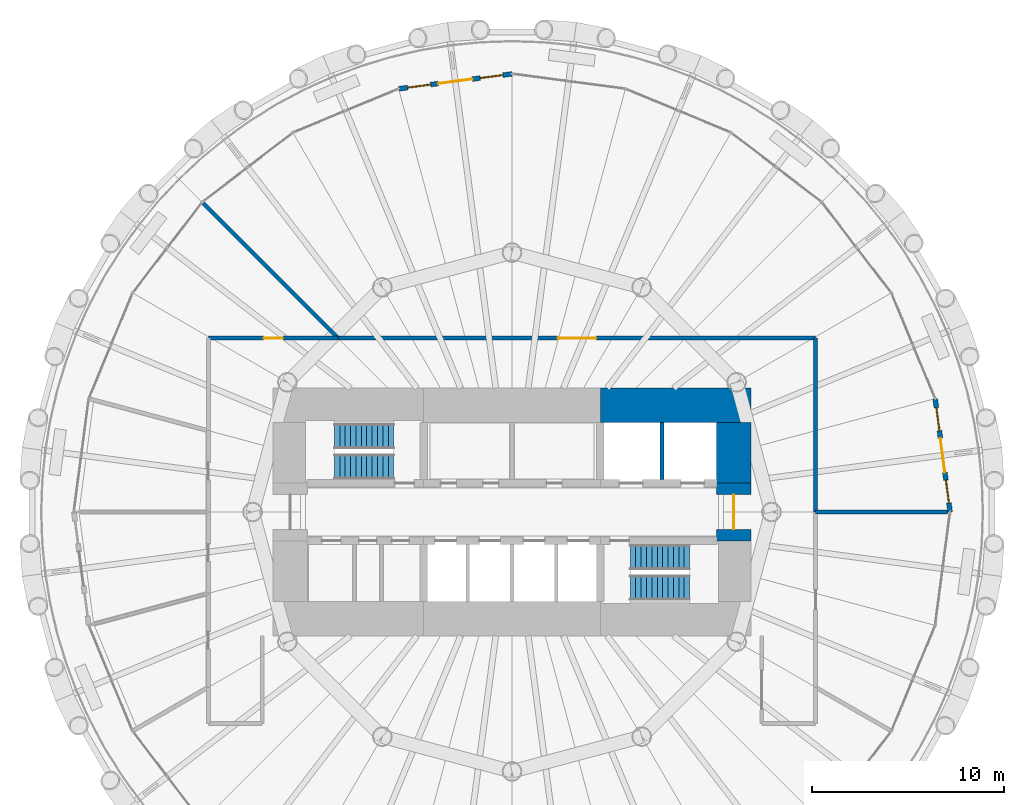
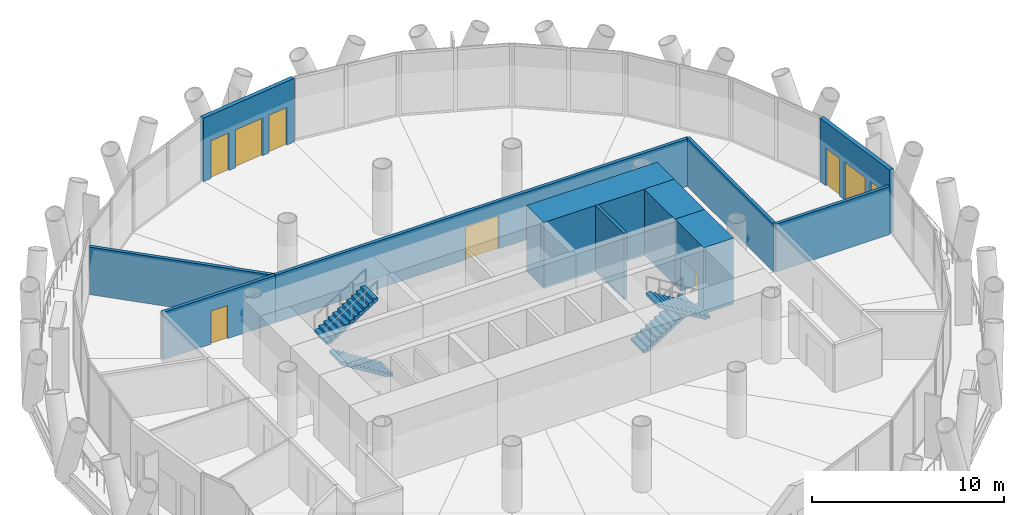
# One storey, part 10 of 14: 11 walls, 5 doors, 4 stair flights, 4 windows, 9 openings, 2 elements without a shape of their own.
"""IFC4 building model written with IfcOpenShell, lengths in metres."""

from ifc_helpers import new_model, si_unit, direction, frame, frame_2d, origin, place, context, subcontext, project, spatial, polyline, rectangle, outline, extrude, material, layer, layer_set, type_object, element, fill, aggregate, save


model = new_model("IFC4")

# Units and contexts
model_context = context("Model", 3, precision=1e-05, world=origin(), true_north=direction((0.0, 1.0)))
body_context = subcontext(model_context, "Body", "Model", "MODEL_VIEW")
ifc_project = project(units=[si_unit("LENGTHUNIT", "METRE"), si_unit("AREAUNIT", "SQUARE_METRE"), si_unit("VOLUMEUNIT", "CUBIC_METRE"), si_unit("PLANEANGLEUNIT", "RADIAN"), si_unit("MASSUNIT", "GRAM", prefix="KILO")], contexts=[model_context])

# Site, building, storey
site_placement = place(None, origin())
site = spatial("IfcSite", under=ifc_project, at=site_placement, CompositionType="ELEMENT")
building_placement = place(site_placement, origin())
building = spatial("IfcBuilding", under=site, at=building_placement, Name="Qaws Media Tower", CompositionType="ELEMENT")
storey_placement = place(building_placement, frame((0.0, 0.0, 118.39990234375)))
storey = spatial("IfcBuildingStorey", under=building, at=storey_placement, Name="L26", CompositionType="ELEMENT", Elevation=118.39990234375)

# Wall, openings, door, windows
ifc_material_1 = material(Name="Precast concrete, exposed finish", Category="concrete")
ifc_layer_1 = layer(ifc_material_1, 0.25)
ifc_layer_set_1 = layer_set([ifc_layer_1], Name="Balcony door wall 250")
wall_type_1 = type_object("IfcWallType", Name="Balcony door wall 250", PredefinedType="SOLIDWALL", material=ifc_layer_set_1)
wall_1_placement = place(storey_placement, frame((82.800048828125, 50.0, 0.0), z_axis=(0.0, 0.0, 1.0), x_axis=(-0.130519236388, 0.991445777102, 0.0)))
wall_1 = element("IfcWall", 1, at=wall_1_placement, inside=storey, type_object=wall_type_1, Name="W177 EW1 balcony door wall L26-01", PredefinedType="SOLIDWALL", context=body_context, shape_type="SweptSolid", body=[
    extrude(rectangle(XDim=5.9521484375, YDim=0.25, at=frame_2d((2.97607421875, 0.0))), origin(), (0.0, 0.0, 1.0), 4.0400390625),
])
opening_1_placement = place(wall_1_placement, frame((2.075927734375, 0.0, 0.0)))
opening_1 = element("IfcOpeningElement", 2, at=opening_1_placement, cuts=wall_1, Name="Opening D7", PredefinedType="OPENING", context=body_context, shape_type="SweptSolid", body=[
    extrude(rectangle(XDim=1.800048828125, YDim=2.39990234375, at=frame_2d((0.89990234375, 1.199951171875))), frame((0.0, 0.135009765625, 0.0), z_axis=(0.0, -1.0, 0.0), x_axis=(1.0, 0.0, 0.0)), (0.0, 0.0, 1.0), 0.27001953125),
])
opening_2_placement = place(wall_1_placement, frame((0.47607421875, 0.0, 0.0)))
opening_2 = element("IfcOpeningElement", 3, at=opening_2_placement, cuts=wall_1, Name="Opening W1", PredefinedType="OPENING", context=body_context, shape_type="SweptSolid", body=[
    extrude(rectangle(XDim=1.199951171875, YDim=2.39990234375, at=frame_2d((0.60009765625, 1.199951171875))), frame((0.0, 0.135009765625, 0.0), z_axis=(0.0, -1.0, 0.0), x_axis=(1.0, 0.0, 0.0)), (0.0, 0.0, 1.0), 0.27001953125),
])
opening_3_placement = place(wall_1_placement, frame((4.27587890625, 0.0, 0.0)))
opening_3 = element("IfcOpeningElement", 4, at=opening_3_placement, cuts=wall_1, Name="Opening W1", PredefinedType="OPENING", context=body_context, shape_type="SweptSolid", body=[
    extrude(rectangle(XDim=1.199951171875, YDim=2.39990234375, at=frame_2d((0.60009765625, 1.199951171875))), frame((0.0, 0.135009765625, 0.0), z_axis=(0.0, -1.0, 0.0), x_axis=(1.0, 0.0, 0.0)), (0.0, 0.0, 1.0), 0.27001953125),
])
ifc_material_2 = material(Name="Aluminium and clear glass", Category="aluminium")
door_type_1 = type_object("IfcDoorType", Name="Balcony door pair 1800", OperationType="DOUBLE_DOOR_SLIDING", PredefinedType="DOOR", material=ifc_material_2)
door_1_placement = place(opening_1_placement, origin())
door_1 = element("IfcDoor", 5, at=door_1_placement, inside=storey, type_object=door_type_1, Name="D7 balcony door L26-01 in wall W177", OperationType="DOUBLE_DOOR_SLIDING", OverallHeight=2.39990234375, OverallWidth=1.800048828125, PredefinedType="DOOR", context=body_context, shape_type="SweptSolid", body=[
    extrude(rectangle(XDim=1.800048828125, YDim=2.39990234375, at=frame_2d((0.89990234375, 1.199951171875))), frame((0.0, 0.02490234375, 0.0), z_axis=(0.0, -1.0, 0.0), x_axis=(1.0, 0.0, 0.0)), (0.0, 0.0, 1.0), 0.050048828125),
])
fill(opening_1, door_1)
ifc_material_3 = material(Name="Aluminium and clear glass", Category="aluminium")
window_type = type_object("IfcWindowType", Name="Balcony side window 1200", PartitioningType="SINGLE_PANEL", PredefinedType="WINDOW", material=ifc_material_3)
window_1_placement = place(opening_2_placement, origin())
window_1 = element("IfcWindow", 6, at=window_1_placement, inside=storey, type_object=window_type, Name="W1 balcony side light L26-01L", OverallHeight=2.39990234375, OverallWidth=1.199951171875, PartitioningType="SINGLE_PANEL", PredefinedType="WINDOW", context=body_context, shape_type="SweptSolid", body=[
    extrude(rectangle(XDim=1.199951171875, YDim=2.39990234375, at=frame_2d((0.60009765625, 1.199951171875))), frame((0.0, 0.030029296875, 0.0), z_axis=(0.0, -1.0, 0.0), x_axis=(1.0, 0.0, 0.0)), (0.0, 0.0, 1.0), 0.06005859375),
])
fill(opening_2, window_1)
window_2_placement = place(opening_3_placement, origin())
window_2 = element("IfcWindow", 7, at=window_2_placement, inside=storey, type_object=window_type, Name="W1 balcony side light L26-01R", OverallHeight=2.39990234375, OverallWidth=1.199951171875, PartitioningType="SINGLE_PANEL", PredefinedType="WINDOW", context=body_context, shape_type="SweptSolid", body=[
    extrude(rectangle(XDim=1.199951171875, YDim=2.39990234375, at=frame_2d((0.60009765625, 1.199951171875))), frame((0.0, 0.030029296875, 0.0), z_axis=(0.0, -1.0, 0.0), x_axis=(1.0, 0.0, 0.0)), (0.0, 0.0, 1.0), 0.06005859375),
])
fill(opening_3, window_2)

wall_2_placement = place(storey_placement, frame((60.0, 72.800048828125, 0.0), z_axis=(0.0, 0.0, 1.0), x_axis=(-0.991445777102, -0.130519236388, 0.0)))
wall_2 = element("IfcWall", 8, at=wall_2_placement, inside=storey, type_object=wall_type_1, Name="W176 EW1 balcony door wall L26-07", PredefinedType="SOLIDWALL", context=body_context, shape_type="SweptSolid", body=[
    extrude(rectangle(XDim=5.9521484375, YDim=0.25, at=frame_2d((2.97607421875, 0.0))), origin(), (0.0, 0.0, 1.0), 4.0400390625),
])
opening_4_placement = place(wall_2_placement, frame((2.075927734375, 0.0, 0.0)))
opening_4 = element("IfcOpeningElement", 9, at=opening_4_placement, cuts=wall_2, Name="Opening D7", PredefinedType="OPENING", context=body_context, shape_type="SweptSolid", body=[
    extrude(rectangle(XDim=1.800048828125, YDim=2.39990234375, at=frame_2d((0.89990234375, 1.199951171875))), frame((0.0, 0.135009765625, 0.0), z_axis=(0.0, -1.0, 0.0), x_axis=(1.0, 0.0, 0.0)), (0.0, 0.0, 1.0), 0.27001953125),
])
opening_5_placement = place(wall_2_placement, frame((0.47607421875, 0.0, 0.0)))
opening_5 = element("IfcOpeningElement", 10, at=opening_5_placement, cuts=wall_2, Name="Opening W1", PredefinedType="OPENING", context=body_context, shape_type="SweptSolid", body=[
    extrude(rectangle(XDim=1.199951171875, YDim=2.39990234375, at=frame_2d((0.60009765625, 1.199951171875))), frame((0.0, 0.135009765625, 0.0), z_axis=(0.0, -1.0, 0.0), x_axis=(1.0, 0.0, 0.0)), (0.0, 0.0, 1.0), 0.27001953125),
])
opening_6_placement = place(wall_2_placement, frame((4.27587890625, 0.0, 0.0)))
opening_6 = element("IfcOpeningElement", 11, at=opening_6_placement, cuts=wall_2, Name="Opening W1", PredefinedType="OPENING", context=body_context, shape_type="SweptSolid", body=[
    extrude(rectangle(XDim=1.199951171875, YDim=2.39990234375, at=frame_2d((0.60009765625, 1.199951171875))), frame((0.0, 0.135009765625, 0.0), z_axis=(0.0, -1.0, 0.0), x_axis=(1.0, 0.0, 0.0)), (0.0, 0.0, 1.0), 0.27001953125),
])
door_2_placement = place(opening_4_placement, origin())
door_2 = element("IfcDoor", 12, at=door_2_placement, inside=storey, type_object=door_type_1, Name="D7 balcony door L26-07 in wall W176", OperationType="DOUBLE_DOOR_SLIDING", OverallHeight=2.39990234375, OverallWidth=1.800048828125, PredefinedType="DOOR", context=body_context, shape_type="SweptSolid", body=[
    extrude(rectangle(XDim=1.800048828125, YDim=2.39990234375, at=frame_2d((0.89990234375, 1.199951171875))), frame((0.0, 0.02490234375, 0.0), z_axis=(0.0, -1.0, 0.0), x_axis=(1.0, 0.0, 0.0)), (0.0, 0.0, 1.0), 0.050048828125),
])
fill(opening_4, door_2)
window_3_placement = place(opening_5_placement, origin())
window_3 = element("IfcWindow", 13, at=window_3_placement, inside=storey, type_object=window_type, Name="W1 balcony side light L26-07L", OverallHeight=2.39990234375, OverallWidth=1.199951171875, PartitioningType="SINGLE_PANEL", PredefinedType="WINDOW", context=body_context, shape_type="SweptSolid", body=[
    extrude(rectangle(XDim=1.199951171875, YDim=2.39990234375, at=frame_2d((0.60009765625, 1.199951171875))), frame((0.0, 0.030029296875, 0.0), z_axis=(0.0, -1.0, 0.0), x_axis=(1.0, 0.0, 0.0)), (0.0, 0.0, 1.0), 0.06005859375),
])
fill(opening_5, window_3)
window_4_placement = place(opening_6_placement, origin())
window_4 = element("IfcWindow", 14, at=window_4_placement, inside=storey, type_object=window_type, Name="W1 balcony side light L26-07R", OverallHeight=2.39990234375, OverallWidth=1.199951171875, PartitioningType="SINGLE_PANEL", PredefinedType="WINDOW", context=body_context, shape_type="SweptSolid", body=[
    extrude(rectangle(XDim=1.199951171875, YDim=2.39990234375, at=frame_2d((0.60009765625, 1.199951171875))), frame((0.0, 0.030029296875, 0.0), z_axis=(0.0, -1.0, 0.0), x_axis=(1.0, 0.0, 0.0)), (0.0, 0.0, 1.0), 0.06005859375),
])
fill(opening_6, window_4)

# Wall
ifc_material_4 = material(Name="Concrete C60/75", Category="concrete")
ifc_layer_2 = layer(ifc_material_4, 1.800048828125)
ifc_layer_set_2 = layer_set([ifc_layer_2], Name="Core wall 1800")
wall_type_2 = type_object("IfcWallType", Name="Core wall 1800", PredefinedType="SHEAR", material=ifc_layer_set_2)
wall_3_placement = place(storey_placement, frame((64.60009765625, 55.550048828125, 0.0), z_axis=(0.0, 0.0, 1.0), x_axis=(1.0, 0.0, 0.0)))
element("IfcWall", 15, at=wall_3_placement, inside=storey, type_object=wall_type_2, Name="W423 SW11 core wall NE L26", PredefinedType="SHEAR", context=body_context, shape_type="SweptSolid", body=[
    extrude(rectangle(XDim=7.849853515625, YDim=1.800048828125, at=frame_2d((3.9248046875, 0.0))), origin(), (0.0, 0.0, 1.0), 4.2001953125),
])

# Wall, opening, door
wall_4_placement = place(storey_placement, frame((71.550048828125, 48.5, 0.0), z_axis=(0.0, 0.0, 1.0), x_axis=(0.0, 1.0, 0.0)))
wall_4 = element("IfcWall", 16, at=wall_4_placement, inside=storey, type_object=wall_type_2, Name="W427 SW11 core wall E L26", PredefinedType="SHEAR", context=body_context, shape_type="SweptSolid", body=[
    extrude(rectangle(XDim=3.0, YDim=1.800048828125, at=frame_2d((1.5, 0.0))), origin(), (0.0, 0.0, 1.0), 4.2001953125),
])
opening_7_placement = place(wall_4_placement, frame((0.60009765625, 0.0, 0.0)))
opening_7 = element("IfcOpeningElement", 17, at=opening_7_placement, cuts=wall_4, Name="Opening D2", PredefinedType="OPENING", context=body_context, shape_type="SweptSolid", body=[
    extrude(rectangle(XDim=1.800048828125, YDim=2.10009765625, at=frame_2d((0.89990234375, 1.050048828125))), frame((0.0, 0.909912109375, 0.0), z_axis=(0.0, -1.0, 0.0), x_axis=(1.0, 0.0, 0.0)), (0.0, 0.0, 1.0), 1.820068359375),
])
ifc_material_5 = material(Name="Steel and glass, fire rated", Category="steel")
door_type_2 = type_object("IfcDoorType", Name="Lobby door pair 1800 FD60", OperationType="DOUBLE_DOOR_DOUBLE_SWING", PredefinedType="DOOR", material=ifc_material_5)
door_3_placement = place(opening_7_placement, origin())
door_3 = element("IfcDoor", 18, at=door_3_placement, inside=storey, type_object=door_type_2, Name="D2 core lobby door E L26 in wall W427", OperationType="DOUBLE_DOOR_DOUBLE_SWING", OverallHeight=2.10009765625, OverallWidth=1.800048828125, PredefinedType="DOOR", context=body_context, shape_type="SweptSolid", body=[
    extrude(rectangle(XDim=1.800048828125, YDim=2.10009765625, at=frame_2d((0.89990234375, 1.050048828125))), frame((0.0, 0.02490234375, 0.0), z_axis=(0.0, -1.0, 0.0), x_axis=(1.0, 0.0, 0.0)), (0.0, 0.0, 1.0), 0.050048828125),
])
fill(opening_7, door_3)

# Wall
wall_5_placement = place(storey_placement, frame((71.550048828125, 51.5, 0.0), z_axis=(0.0, 0.0, 1.0), x_axis=(0.0, 1.0, 0.0)))
element("IfcWall", 19, at=wall_5_placement, inside=storey, type_object=wall_type_2, Name="W425 SW11 core wall EN L26", PredefinedType="SHEAR", context=body_context, shape_type="SweptSolid", body=[
    extrude(rectangle(XDim=3.169921875, YDim=1.800048828125, at=frame_2d((1.5849609375, 0.0))), origin(), (0.0, 0.0, 1.0), 4.2001953125),
])

# Wall, opening, door
ifc_material_6 = material(Name="Gypsum board on galvanised metal studs, acoustic double stud, deflection head", Category="gypsum")
ifc_layer_3 = layer(ifc_material_6, 0.199951171875)
ifc_layer_set_3 = layer_set([ifc_layer_3], Name="Room partition 200")
wall_type_3 = type_object("IfcWallType", Name="Room partition 200", PredefinedType="PARTITIONING", material=ifc_layer_set_3)
wall_6_placement = place(storey_placement, frame((44.199951171875, 59.050048828125, 0.0), z_axis=(0.0, 0.0, 1.0), x_axis=(1.0, 0.0, 0.0)))
wall_6 = element("IfcWall", 20, at=wall_6_placement, inside=storey, type_object=wall_type_3, Name="W1220 IW3 partition L26", PredefinedType="PARTITIONING", context=body_context, shape_type="SweptSolid", body=[
    extrude(rectangle(XDim=6.75, YDim=0.199951171875, at=frame_2d((3.375, 0.0))), origin(), (0.0, 0.0, 1.0), 3.02001953125),
])
opening_8_placement = place(wall_6_placement, frame((2.875, 0.0, 0.0)))
opening_8 = element("IfcOpeningElement", 21, at=opening_8_placement, cuts=wall_6, Name="Opening D5", PredefinedType="OPENING", context=body_context, shape_type="SweptSolid", body=[
    extrude(rectangle(XDim=1.0, YDim=2.10009765625, at=frame_2d((0.5, 1.050048828125))), frame((0.0, 0.10986328125, 0.0), z_axis=(0.0, -1.0, 0.0), x_axis=(1.0, 0.0, 0.0)), (0.0, 0.0, 1.0), 0.219970703125),
])
ifc_material_7 = material(Name="Timber veneered, acoustic seal", Category="wood")
door_type_3 = type_object("IfcDoorType", Name="Room door 1000", OperationType="SINGLE_SWING_LEFT", PredefinedType="DOOR", material=ifc_material_7)
door_4_placement = place(opening_8_placement, origin())
door_4 = element("IfcDoor", 22, at=door_4_placement, inside=storey, type_object=door_type_3, Name="D5 Client meeting room door L26 in wall W1220", OperationType="SINGLE_SWING_LEFT", OverallHeight=2.10009765625, OverallWidth=1.0, PredefinedType="DOOR", context=body_context, shape_type="SweptSolid", body=[
    extrude(rectangle(XDim=1.0, YDim=2.10009765625, at=frame_2d((0.5, 1.050048828125))), frame((0.0, 0.02490234375, 0.0), z_axis=(0.0, -1.0, 0.0), x_axis=(1.0, 0.0, 0.0)), (0.0, 0.0, 1.0), 0.050048828125),
])
fill(opening_8, door_4)

wall_7_placement = place(storey_placement, frame((50.949951171875, 59.050048828125, 0.0), z_axis=(0.0, 0.0, 1.0), x_axis=(1.0, 0.0, 0.0)))
wall_7 = element("IfcWall", 23, at=wall_7_placement, inside=storey, type_object=wall_type_3, Name="W1226 IW3 partition L26", PredefinedType="PARTITIONING", context=body_context, shape_type="SweptSolid", body=[
    extrude(rectangle(XDim=24.85009765625, YDim=0.199951171875, at=frame_2d((12.425048828125, 0.0))), origin(), (0.0, 0.0, 1.0), 3.02001953125),
])
opening_9_placement = place(wall_7_placement, frame((11.425048828125, 0.0, 0.0)))
opening_9 = element("IfcOpeningElement", 24, at=opening_9_placement, cuts=wall_7, Name="Opening D6", PredefinedType="OPENING", context=body_context, shape_type="SweptSolid", body=[
    extrude(rectangle(XDim=2.0, YDim=2.10009765625, at=frame_2d((1.0, 1.050048828125))), frame((0.0, 0.10986328125, 0.0), z_axis=(0.0, -1.0, 0.0), x_axis=(1.0, 0.0, 0.0)), (0.0, 0.0, 1.0), 0.219970703125),
])
ifc_material_8 = material(Name="Steel, acoustic, fire rated", Category="steel")
door_type_4 = type_object("IfcDoorType", Name="Room door pair 2000", OperationType="DOUBLE_DOOR_DOUBLE_SWING", PredefinedType="DOOR", material=ifc_material_8)
door_5_placement = place(opening_9_placement, origin())
door_5 = element("IfcDoor", 25, at=door_5_placement, inside=storey, type_object=door_type_4, Name="D6 Sales office door L26 in wall W1226", OperationType="DOUBLE_DOOR_DOUBLE_SWING", OverallHeight=2.10009765625, OverallWidth=2.0, PredefinedType="DOOR", context=body_context, shape_type="SweptSolid", body=[
    extrude(rectangle(XDim=2.0, YDim=2.10009765625, at=frame_2d((1.0, 1.050048828125))), frame((0.0, 0.02490234375, 0.0), z_axis=(0.0, -1.0, 0.0), x_axis=(1.0, 0.0, 0.0)), (0.0, 0.0, 1.0), 0.050048828125),
])
fill(opening_9, door_5)

# Walls
wall_8_placement = place(storey_placement, frame((75.800048828125, 59.050048828125, 0.0), z_axis=(0.0, 0.0, 1.0), x_axis=(0.0, -1.0, 0.0)))
element("IfcWall", 26, at=wall_8_placement, inside=storey, type_object=wall_type_3, Name="W1235 IW3 partition L26", PredefinedType="PARTITIONING", context=body_context, shape_type="SweptSolid", body=[
    extrude(rectangle(XDim=9.050048828125, YDim=0.199951171875, at=frame_2d((4.52490234375, 0.0))), origin(), (0.0, 0.0, 1.0), 3.0400390625),
])
wall_9_placement = place(storey_placement, frame((75.800048828125, 50.0, 0.0), z_axis=(0.0, 0.0, 1.0), x_axis=(1.0, 0.0, 0.0)))
element("IfcWall", 27, at=wall_9_placement, inside=storey, type_object=wall_type_3, Name="W1244 IW3 partition L26", PredefinedType="PARTITIONING", context=body_context, shape_type="SweptSolid", body=[
    extrude(rectangle(XDim=6.85986328125, YDim=0.199951171875, at=frame_2d((3.429931640625, 0.0))), origin(), (0.0, 0.0, 1.0), 3.0400390625),
])
wall_10_placement = place(storey_placement, frame((50.948974609375, 59.051025390625, 0.0), z_axis=(0.0, 0.0, 1.0), x_axis=(-0.707106781187, 0.707106781187, 0.0)))
element("IfcWall", 28, at=wall_10_placement, inside=storey, type_object=wall_type_3, Name="W1242 IW3 partition L26", PredefinedType="PARTITIONING", context=body_context, shape_type="SweptSolid", body=[
    extrude(rectangle(XDim=9.9599609375, YDim=0.199951171875, at=frame_2d((4.97998046875, 0.0))), origin(), (0.0, 0.0, 1.0), 3.02001953125),
])
ifc_material_9 = material(Name="Fire-rated gypsum board shaft wall on galvanised metal studs, deflection head", Category="gypsum")
ifc_layer_4 = layer(ifc_material_9, 0.199951171875)
ifc_layer_set_4 = layer_set([ifc_layer_4], Name="Shaft wall 200")
wall_type_4 = type_object("IfcWallType", Name="Shaft wall 200", PredefinedType="PARTITIONING", material=ifc_layer_set_4)
wall_11_placement = place(storey_placement, frame((67.800048828125, 51.699951171875, 0.0), z_axis=(0.0, 0.0, 1.0), x_axis=(0.0, 1.0, 0.0)))
element("IfcWall", 29, at=wall_11_placement, inside=storey, type_object=wall_type_4, Name="W1863 IW1 shaft wall FL L26", PredefinedType="PARTITIONING", context=body_context, shape_type="SweptSolid", body=[
    extrude(rectangle(XDim=2.949951171875, YDim=0.199951171875, at=frame_2d((1.47509765625, 0.0))), origin(), (0.0, 0.0, 1.0), 4.2001953125),
])

# Stair, stair flights
ifc_material_10 = material(Name="Concrete C40/50", Category="concrete")
stair_type = type_object("IfcStairType", Name="Exit stair", PredefinedType="HALF_TURN_STAIR", material=ifc_material_10)
stair_1_placement = place(storey_placement, origin())
stair_1 = element("IfcStair", 30, at=stair_1_placement, inside=storey, type_object=stair_type, Name="S1 exit stair L26", PredefinedType="HALF_TURN_STAIR")
ifc_material_11 = material(Name="Concrete C40/50", Category="concrete")
stair_flight_type = type_object("IfcStairFlightType", Name="Stair flight 1310", PredefinedType="STRAIGHT", material=ifc_material_11)
stair_flight_1_placement = place(storey_placement, frame((53.840087890625, 52.35498046875, 0.0), z_axis=(0.0, 0.0, 1.0), x_axis=(-1.0, 0.0, 0.0)))
stair_flight_1 = element("IfcStairFlight", 31, at=stair_flight_1_placement, type_object=stair_flight_type, Name="S1 flight 1", NumberOfRisers=12, NumberOfTreads=11, PredefinedType="STRAIGHT", RiserHeight=0.175, TreadLength=0.28, context=body_context, shape_type="SweptSolid", body=[
    extrude(outline(polyline([(0.0, 0.0), (0.0, 0.175048828125), (0.280029296875, 0.175048828125), (0.280029296875, 0.35009765625), (0.56005859375, 0.35009765625), (0.56005859375, 0.52490234375), (0.840087890625, 0.52490234375), (0.840087890625, 0.699951171875), (1.1201171875, 0.699951171875), (1.1201171875, 0.875), (1.39990234375, 0.875), (1.39990234375, 1.050048828125), (1.679931640625, 1.050048828125), (1.679931640625, 1.22509765625), (1.9599609375, 1.22509765625), (1.9599609375, 1.39990234375), (2.239990234375, 1.39990234375), (2.239990234375, 1.574951171875), (2.52001953125, 1.574951171875), (2.52001953125, 1.75), (2.800048828125, 1.75), (2.800048828125, 1.925048828125), (3.080078125, 1.925048828125), (3.080078125, 2.10009765625), (3.080078125, 1.748291015625), (0.28271484375, 0.0), (0.0, 0.0)])), frame((0.0, 0.655029296875, 0.0), z_axis=(0.0, -1.0, 0.0), x_axis=(1.0, 0.0, 0.0)), (0.0, 0.0, 1.0), 1.31005859375),
])
stair_flight_2_placement = place(storey_placement, frame((50.760009765625, 53.945068359375, 2.10009765625), z_axis=(0.0, 0.0, 1.0), x_axis=(1.0, 0.0, 0.0)))
stair_flight_2 = element("IfcStairFlight", 32, at=stair_flight_2_placement, type_object=stair_flight_type, Name="S1 flight 2", NumberOfRisers=12, NumberOfTreads=11, PredefinedType="STRAIGHT", RiserHeight=0.175, TreadLength=0.28, context=body_context, shape_type="SweptSolid", body=[
    extrude(outline(polyline([(0.0, 0.0), (0.0, 0.175048828125), (0.280029296875, 0.175048828125), (0.280029296875, 0.35009765625), (0.56005859375, 0.35009765625), (0.56005859375, 0.52490234375), (0.840087890625, 0.52490234375), (0.840087890625, 0.699951171875), (1.1201171875, 0.699951171875), (1.1201171875, 0.875), (1.39990234375, 0.875), (1.39990234375, 1.050048828125), (1.679931640625, 1.050048828125), (1.679931640625, 1.22509765625), (1.9599609375, 1.22509765625), (1.9599609375, 1.39990234375), (2.239990234375, 1.39990234375), (2.239990234375, 1.574951171875), (2.52001953125, 1.574951171875), (2.52001953125, 1.75), (2.800048828125, 1.75), (2.800048828125, 1.925048828125), (3.080078125, 1.925048828125), (3.080078125, 2.10009765625), (3.080078125, 1.748291015625), (0.28271484375, 0.0), (0.0, 0.0)])), frame((0.0, 0.655029296875, 0.0), z_axis=(0.0, -1.0, 0.0), x_axis=(1.0, 0.0, 0.0)), (0.0, 0.0, 1.0), 1.31005859375),
])
aggregate(stair_1, [stair_flight_1, stair_flight_2])

stair_2_placement = place(storey_placement, origin())
stair_2 = element("IfcStair", 33, at=stair_2_placement, inside=storey, type_object=stair_type, Name="S2 exit stair L26", PredefinedType="HALF_TURN_STAIR")
stair_flight_3_placement = place(storey_placement, frame((66.159912109375, 47.64501953125, 0.0), z_axis=(0.0, 0.0, 1.0), x_axis=(1.0, 0.0, 0.0)))
stair_flight_3 = element("IfcStairFlight", 34, at=stair_flight_3_placement, type_object=stair_flight_type, Name="S2 flight 1", NumberOfRisers=12, NumberOfTreads=11, PredefinedType="STRAIGHT", RiserHeight=0.175, TreadLength=0.28, context=body_context, shape_type="SweptSolid", body=[
    extrude(outline(polyline([(0.0, 0.0), (0.0, 0.175048828125), (0.280029296875, 0.175048828125), (0.280029296875, 0.35009765625), (0.56005859375, 0.35009765625), (0.56005859375, 0.52490234375), (0.840087890625, 0.52490234375), (0.840087890625, 0.699951171875), (1.1201171875, 0.699951171875), (1.1201171875, 0.875), (1.39990234375, 0.875), (1.39990234375, 1.050048828125), (1.679931640625, 1.050048828125), (1.679931640625, 1.22509765625), (1.9599609375, 1.22509765625), (1.9599609375, 1.39990234375), (2.239990234375, 1.39990234375), (2.239990234375, 1.574951171875), (2.52001953125, 1.574951171875), (2.52001953125, 1.75), (2.800048828125, 1.75), (2.800048828125, 1.925048828125), (3.080078125, 1.925048828125), (3.080078125, 2.10009765625), (3.080078125, 1.748291015625), (0.28271484375, 0.0), (0.0, 0.0)])), frame((0.0, 0.655029296875, 0.0), z_axis=(0.0, -1.0, 0.0), x_axis=(1.0, 0.0, 0.0)), (0.0, 0.0, 1.0), 1.31005859375),
])
stair_flight_4_placement = place(storey_placement, frame((69.239990234375, 46.054931640625, 2.10009765625), z_axis=(0.0, 0.0, 1.0), x_axis=(-1.0, 0.0, 0.0)))
stair_flight_4 = element("IfcStairFlight", 35, at=stair_flight_4_placement, type_object=stair_flight_type, Name="S2 flight 2", NumberOfRisers=12, NumberOfTreads=11, PredefinedType="STRAIGHT", RiserHeight=0.175, TreadLength=0.28, context=body_context, shape_type="SweptSolid", body=[
    extrude(outline(polyline([(0.0, 0.0), (0.0, 0.175048828125), (0.280029296875, 0.175048828125), (0.280029296875, 0.35009765625), (0.56005859375, 0.35009765625), (0.56005859375, 0.52490234375), (0.840087890625, 0.52490234375), (0.840087890625, 0.699951171875), (1.1201171875, 0.699951171875), (1.1201171875, 0.875), (1.39990234375, 0.875), (1.39990234375, 1.050048828125), (1.679931640625, 1.050048828125), (1.679931640625, 1.22509765625), (1.9599609375, 1.22509765625), (1.9599609375, 1.39990234375), (2.239990234375, 1.39990234375), (2.239990234375, 1.574951171875), (2.52001953125, 1.574951171875), (2.52001953125, 1.75), (2.800048828125, 1.75), (2.800048828125, 1.925048828125), (3.080078125, 1.925048828125), (3.080078125, 2.10009765625), (3.080078125, 1.748291015625), (0.28271484375, 0.0), (0.0, 0.0)])), frame((0.0, 0.655029296875, 0.0), z_axis=(0.0, -1.0, 0.0), x_axis=(1.0, 0.0, 0.0)), (0.0, 0.0, 1.0), 1.31005859375),
])
aggregate(stair_2, [stair_flight_3, stair_flight_4])

save(model, "model.ifc")
